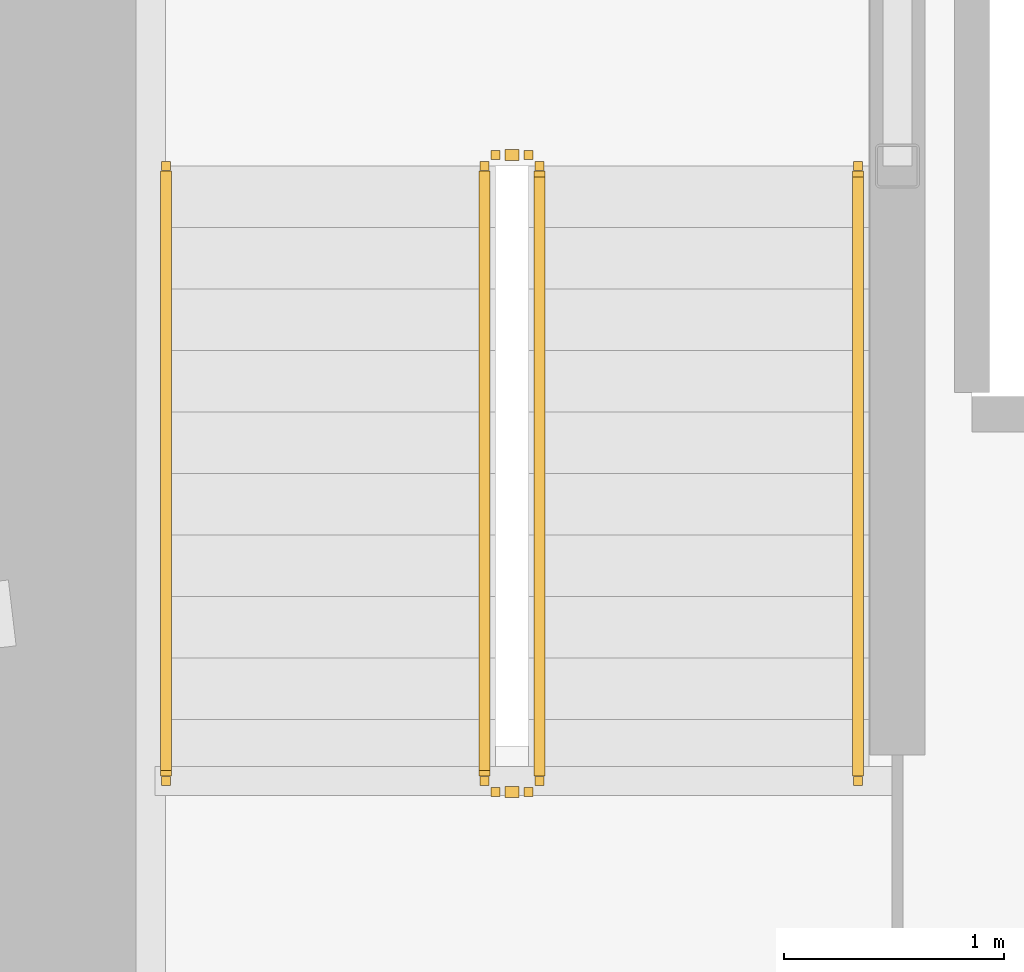
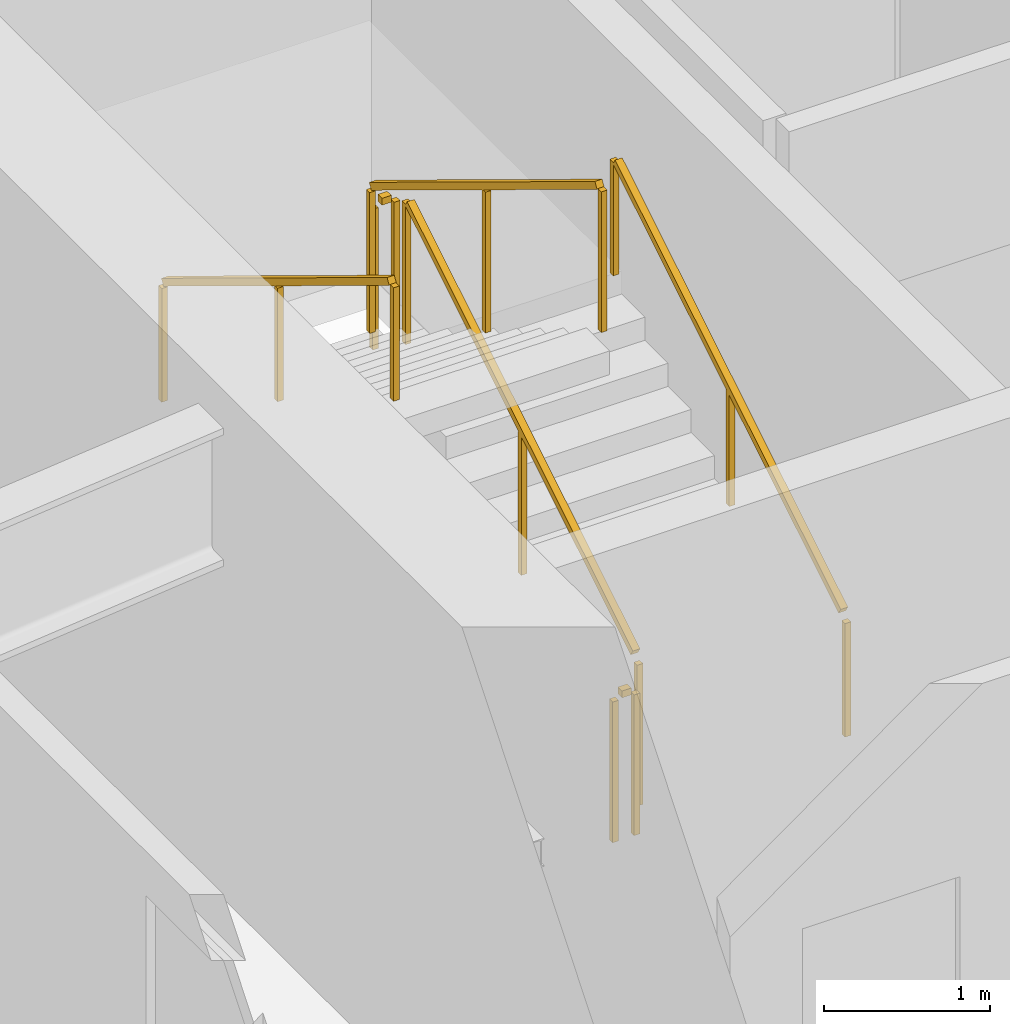
# One storey, part 18 of 23: 6 railings.
"""IFC4 building model written with IfcOpenShell, lengths in metres."""

from ifc_helpers import new_model, si_unit, direction, frame, origin, origin_2d, place, context, subcontext, project, spatial, rectangle, extrude, material, type_object, element, save


model = new_model("IFC4")

# Units and contexts
model_context = context("Model", 3, precision=1e-05, world=origin(), true_north=direction((0.0, 1.0)))
body_context = subcontext(model_context, "Body", "Model", "MODEL_VIEW")
ifc_project = project(units=[si_unit("LENGTHUNIT", "METRE"), si_unit("AREAUNIT", "SQUARE_METRE"), si_unit("VOLUMEUNIT", "CUBIC_METRE"), si_unit("PLANEANGLEUNIT", "RADIAN"), si_unit("MASSUNIT", "GRAM", prefix="KILO")], contexts=[model_context])

# Site, building, storey
site_placement = place(None, origin())
site = spatial("IfcSite", under=ifc_project, at=site_placement, CompositionType="ELEMENT")
building_placement = place(site_placement, origin())
building = spatial("IfcBuilding", under=site, at=building_placement, Name="Kazma Halo Residences", CompositionType="ELEMENT")
storey_placement = place(building_placement, frame((0.0, 0.0, 112.64990234375)))
storey = spatial("IfcBuildingStorey", under=building, at=storey_placement, Name="L28", CompositionType="ELEMENT", Elevation=112.64990234375)

# Railings
ifc_material_1 = material(Name="Painted Steel S355", Category="steel")
railing_type_1 = type_object("IfcRailingType", Name="RLG-STAIR-GRD-1100", PredefinedType="GUARDRAIL", material=ifc_material_1)
railing_1_placement = place(storey_placement, frame((39.550048828125, 39.949951171875, 0.170654296875)))
element("IfcRailing", 1, at=railing_1_placement, inside=storey, type_object=railing_type_1, Name="L28 ST-01 stair guard 1", PredefinedType="GUARDRAIL", context=body_context, shape_type="SweptSolid", body=[
    extrude(rectangle(XDim=0.050048828125, YDim=0.050048828125, at=origin_2d()), frame((0.0, 0.036376953125, 1.09716796875), z_axis=(0.0, 0.854202870247, 0.519939858505), x_axis=(-1.0, 0.0, 0.0)), (0.0, 0.0, 1.0), 3.19287109375),
    extrude(rectangle(XDim=0.0400390625, YDim=0.0400390625, at=origin_2d()), origin(), (0.0, 0.0, 1.0), 1.0380859375),
    extrude(rectangle(XDim=0.0400390625, YDim=0.0400390625, at=origin_2d()), frame((0.0, 1.39990234375, 0.85205078125)), (0.0, 0.0, 1.0), 1.0380859375),
    extrude(rectangle(XDim=0.0400390625, YDim=0.0400390625, at=origin_2d()), frame((0.0, 2.800048828125, 1.704345703125)), (0.0, 0.0, 1.0), 1.0380859375),
])
railing_2_placement = place(storey_placement, frame((39.5, 42.800048828125, 1.875)))
element("IfcRailing", 2, at=railing_2_placement, inside=storey, type_object=railing_type_1, Name="L28 ST-01 stair guard 2", PredefinedType="GUARDRAIL", context=body_context, shape_type="SweptSolid", body=[
    extrude(rectangle(XDim=0.050048828125, YDim=0.050048828125, at=origin_2d()), frame((-0.04248046875, 0.0, 1.0751953125), z_axis=(-1.0, 0.0, 0.0), x_axis=(0.0, -1.0, 0.0)), (0.0, 0.0, 1.0), 0.06494140625),
    extrude(rectangle(XDim=0.0400390625, YDim=0.0400390625, at=origin_2d()), origin(), (0.0, 0.0, 1.0), 1.0380859375),
    extrude(rectangle(XDim=0.0400390625, YDim=0.0400390625, at=origin_2d()), frame((-0.14990234375, 0.0, 0.0)), (0.0, 0.0, 1.0), 1.0380859375),
])
railing_3_placement = place(storey_placement, frame((39.300048828125, 42.75, 2.045654296875)))
element("IfcRailing", 3, at=railing_3_placement, inside=storey, type_object=railing_type_1, Name="L28 ST-01 stair guard 3", PredefinedType="GUARDRAIL", context=body_context, shape_type="SweptSolid", body=[
    extrude(rectangle(XDim=0.050048828125, YDim=0.050048828125, at=origin_2d()), frame((0.0, -0.036376953125, 1.09716796875), z_axis=(0.0, -0.854202870247, 0.519939858505), x_axis=(1.0, 0.0, 0.0)), (0.0, 0.0, 1.0), 3.19287109375),
    extrude(rectangle(XDim=0.0400390625, YDim=0.0400390625, at=origin_2d()), origin(), (0.0, 0.0, 1.0), 1.0380859375),
    extrude(rectangle(XDim=0.0400390625, YDim=0.0400390625, at=origin_2d()), frame((0.0, -1.39990234375, 0.85205078125)), (0.0, 0.0, 1.0), 1.0380859375),
    extrude(rectangle(XDim=0.0400390625, YDim=0.0400390625, at=origin_2d()), frame((0.0, -2.800048828125, 1.704345703125)), (0.0, 0.0, 1.0), 1.0380859375),
])
railing_4_placement = place(storey_placement, frame((39.5, 39.89990234375, 0.0)))
element("IfcRailing", 4, at=railing_4_placement, inside=storey, type_object=railing_type_1, Name="L28 ST-01 stair guard 4", PredefinedType="GUARDRAIL", context=body_context, shape_type="SweptSolid", body=[
    extrude(rectangle(XDim=0.050048828125, YDim=0.050048828125, at=origin_2d()), frame((-0.04248046875, 0.0, 1.0751953125), z_axis=(-1.0, 0.0, 0.0), x_axis=(0.0, -1.0, 0.0)), (0.0, 0.0, 1.0), 0.06494140625),
    extrude(rectangle(XDim=0.0400390625, YDim=0.0400390625, at=origin_2d()), origin(), (0.0, 0.0, 1.0), 1.0380859375),
    extrude(rectangle(XDim=0.0400390625, YDim=0.0400390625, at=origin_2d()), frame((-0.14990234375, 0.0, 0.0)), (0.0, 0.0, 1.0), 1.0380859375),
])
ifc_material_2 = material(Name="Brushed Stainless Steel", Category="steel")
railing_type_2 = type_object("IfcRailingType", Name="RLG-STAIR-HND-900", PredefinedType="HANDRAIL", material=ifc_material_2)
railing_5_placement = place(storey_placement, frame((41.0, 39.949951171875, 0.170654296875)))
element("IfcRailing", 5, at=railing_5_placement, inside=storey, type_object=railing_type_2, Name="L28 ST-01 stair handrail 1", PredefinedType="HANDRAIL", context=body_context, shape_type="SweptSolid", body=[
    extrude(rectangle(XDim=0.050048828125, YDim=0.050048828125, at=origin_2d()), frame((0.0, 0.036376953125, 0.89697265625), z_axis=(0.0, 0.854202870247, 0.519939858505), x_axis=(-1.0, 0.0, 0.0)), (0.0, 0.0, 1.0), 3.19287109375),
    extrude(rectangle(XDim=0.0400390625, YDim=0.0400390625, at=origin_2d()), origin(), (0.0, 0.0, 1.0), 0.837890625),
    extrude(rectangle(XDim=0.0400390625, YDim=0.0400390625, at=origin_2d()), frame((0.0, 1.39990234375, 0.85205078125)), (0.0, 0.0, 1.0), 0.837890625),
    extrude(rectangle(XDim=0.0400390625, YDim=0.0400390625, at=origin_2d()), frame((0.0, 2.800048828125, 1.704345703125)), (0.0, 0.0, 1.0), 0.837890625),
])
railing_6_placement = place(storey_placement, frame((37.85009765625, 42.75, 2.045654296875)))
element("IfcRailing", 6, at=railing_6_placement, inside=storey, type_object=railing_type_2, Name="L28 ST-01 stair handrail 2", PredefinedType="HANDRAIL", context=body_context, shape_type="SweptSolid", body=[
    extrude(rectangle(XDim=0.050048828125, YDim=0.050048828125, at=origin_2d()), frame((0.0, -0.036376953125, 0.89697265625), z_axis=(0.0, -0.854202870247, 0.519939858505), x_axis=(1.0, 0.0, 0.0)), (0.0, 0.0, 1.0), 3.19287109375),
    extrude(rectangle(XDim=0.0400390625, YDim=0.0400390625, at=origin_2d()), origin(), (0.0, 0.0, 1.0), 0.837890625),
    extrude(rectangle(XDim=0.0400390625, YDim=0.0400390625, at=origin_2d()), frame((0.0, -1.39990234375, 0.85205078125)), (0.0, 0.0, 1.0), 0.837890625),
    extrude(rectangle(XDim=0.0400390625, YDim=0.0400390625, at=origin_2d()), frame((0.0, -2.800048828125, 1.704345703125)), (0.0, 0.0, 1.0), 0.837890625),
])

save(model, "model.ifc")
